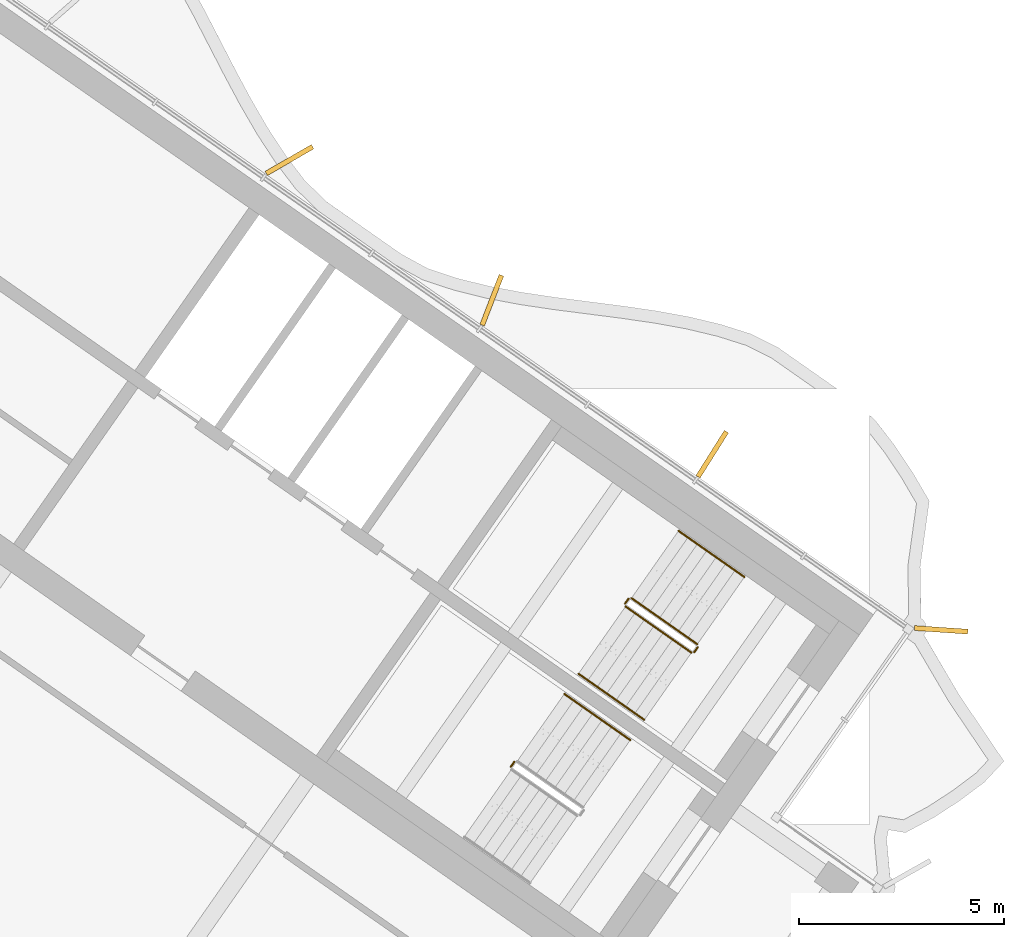
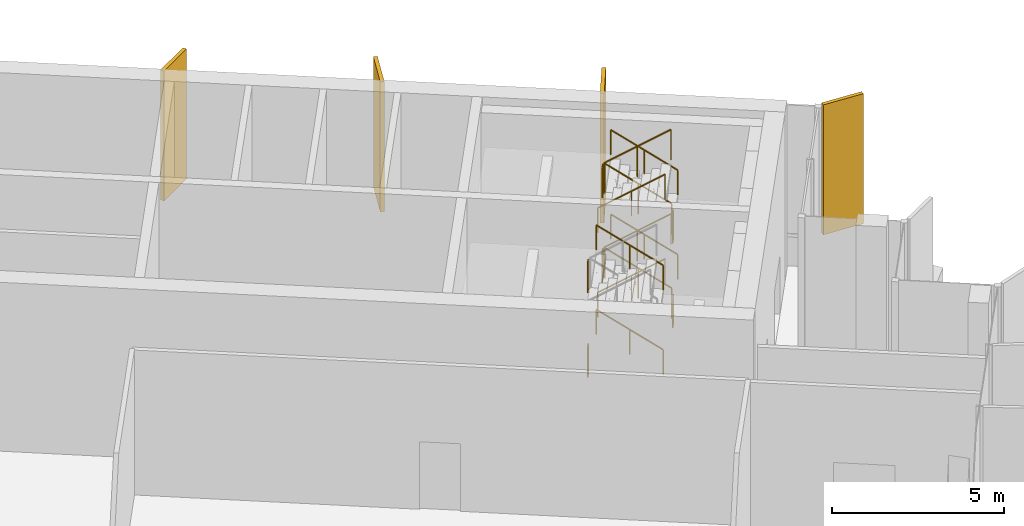
# One storey, part 17 of 18: 16 railings, 4 shading devices.
"""IFC4 building model written with IfcOpenShell, lengths in metres."""

from ifc_helpers import new_model, si_unit, direction, frame, origin, origin_2d, place, context, subcontext, project, spatial, rectangle, circle, extrude, material, layer, layer_set, type_object, element, save


model = new_model("IFC4")

# Units and contexts
model_context = context("Model", 3, precision=1e-05, world=origin(), true_north=direction((0.0, 1.0)))
body_context = subcontext(model_context, "Body", "Model", "MODEL_VIEW")
ifc_project = project(units=[si_unit("LENGTHUNIT", "METRE"), si_unit("AREAUNIT", "SQUARE_METRE"), si_unit("VOLUMEUNIT", "CUBIC_METRE"), si_unit("PLANEANGLEUNIT", "RADIAN"), si_unit("MASSUNIT", "GRAM", prefix="KILO")], contexts=[model_context])

# Site, building, storey
site_placement = place(None, origin())
site = spatial("IfcSite", under=ifc_project, at=site_placement, CompositionType="ELEMENT")
building_placement = place(site_placement, origin())
building = spatial("IfcBuilding", under=site, at=building_placement, Name="Tel Ilan Convention Tower", CompositionType="ELEMENT")
storey_placement = place(building_placement, frame((0.0, 0.0, 307.300048828125)))
storey = spatial("IfcBuildingStorey", under=building, at=storey_placement, Name="L73", CompositionType="ELEMENT", Elevation=307.300048828125)

# Shading devices
ifc_material_1 = material(Name="Aluminium, bronze anodised", Category="aluminium")
ifc_layer = layer(ifc_material_1, 0.1201171875)
ifc_layer_set = layer_set([ifc_layer], Name="FIN BRONZE 1300x120")
shading_device_type = type_object("IfcShadingDeviceType", Name="FIN BRONZE 1300x120", PredefinedType="USERDEFINED", material=ifc_layer_set)
for number, where, z_axis, x_axis, name in (
    (1, (29.62109375, -7.500732421875, 1.099853515625), (0.0, 0.0, 1.0), (0.997697449973, -0.067821812994, 0.0), "FIN"),
    (2, (24.04150390625, -3.220458984375, 1.099853515625), (0.0, 0.0, 1.0), (0.533204432798, 0.845986425922, 0.0), "FIN"),
    (3, (18.67041015625, 0.5322265625, 1.099853515625), (0.0, 0.0, 1.0), (0.360177724803, 0.932883704733, 0.0), "FIN"),
    (4, (13.740234375, 3.946533203125, 1.099853515625), (0.0, 0.0, 1.0), (0.866025403784, 0.5, 0.0), "FIN"),
):
    element("IfcShadingDevice", number, at=place(storey_placement, frame(where, z_axis=z_axis, x_axis=x_axis)), inside=storey, type_object=shading_device_type, Name=name, ObjectType="FIN", PredefinedType="USERDEFINED", context=body_context, shape_type="SweptSolid", body=[
        extrude(rectangle(XDim=1.300048828125, YDim=0.1201171875, at=origin_2d()), origin(), (0.0, 0.0, 1.0), 4.6201171875),
    ])

# Railings
ifc_material_2 = material(Name="Stainless Steel Grade 316", Category="steel")
railing_type_1 = type_object("IfcRailingType", Name="Stainless Steel Stair Guard 1100 mm", PredefinedType="GUARDRAIL", material=ifc_material_2)
railing_1_placement = place(storey_placement, frame((23.6787109375, -7.8515625, 0.1875)))
element("IfcRailing", 5, at=railing_1_placement, inside=storey, type_object=railing_type_1, Name="L73 S3 stair guard 1", PredefinedType="GUARDRAIL", context=body_context, shape_type="SweptSolid", body=[
    extrude(circle(Radius=0.02392578125, at=origin_2d()), frame((0.0, 0.0, 1.076171875), z_axis=(-0.680615610069, 0.476617226942, 0.556415681224), x_axis=(-0.573612813533, -0.819126571508, 0.0)), (0.0, 0.0, 1.0), 2.35888671875),
    extrude(circle(Radius=0.02099609375, at=origin_2d()), origin(), (0.0, 0.0, 1.0), 1.052001953125),
    extrude(circle(Radius=0.02099609375, at=origin_2d()), frame((-0.802734375, 0.56201171875, 0.65625)), (0.0, 0.0, 1.0), 1.052001953125),
    extrude(circle(Radius=0.02099609375, at=origin_2d()), frame((-1.60546875, 1.124267578125, 1.3125)), (0.0, 0.0, 1.0), 1.052001953125),
])
railing_2_placement = place(storey_placement, frame((22.003662109375, -6.739501953125, 1.5)))
element("IfcRailing", 6, at=railing_2_placement, inside=storey, type_object=railing_type_1, Name="L73 S3 stair guard 2", PredefinedType="GUARDRAIL", context=body_context, shape_type="SweptSolid", body=[
    extrude(circle(Radius=0.02392578125, at=origin_2d()), frame((0.0, 0.0, 1.076171875), z_axis=(-0.57368046593, -0.819079192149, 0.0), x_axis=(0.819079192149, -0.57368046593, 0.0)), (0.0, 0.0, 1.0), 0.150146484375),
    extrude(circle(Radius=0.02099609375, at=origin_2d()), origin(), (0.0, 0.0, 1.0), 1.052001953125),
    extrude(circle(Radius=0.02099609375, at=origin_2d()), frame((-0.086181640625, -0.123046875, 0.0)), (0.0, 0.0, 1.0), 1.052001953125),
])
railing_3_placement = place(storey_placement, frame((21.929931640625, -6.93212890625, 1.6875)))
element("IfcRailing", 7, at=railing_3_placement, inside=storey, type_object=railing_type_1, Name="L73 S3 stair guard 3", PredefinedType="GUARDRAIL", context=body_context, shape_type="SweptSolid", body=[
    extrude(circle(Radius=0.02392578125, at=origin_2d()), frame((0.0, 0.0, 1.076171875), z_axis=(0.680615610069, -0.476617226942, 0.556415681224), x_axis=(0.573612813533, 0.819126571508, 0.0)), (0.0, 0.0, 1.0), 2.35888671875),
    extrude(circle(Radius=0.02099609375, at=origin_2d()), origin(), (0.0, 0.0, 1.0), 1.052001953125),
    extrude(circle(Radius=0.02099609375, at=origin_2d()), frame((0.802734375, -0.56201171875, 0.65625)), (0.0, 0.0, 1.0), 1.052001953125),
    extrude(circle(Radius=0.02099609375, at=origin_2d()), frame((1.60546875, -1.124267578125, 1.3125)), (0.0, 0.0, 1.0), 1.052001953125),
])
railing_4_placement = place(storey_placement, frame((23.691162109375, -7.921142578125, 3.0)))
element("IfcRailing", 8, at=railing_4_placement, inside=storey, type_object=railing_type_1, Name="L73 S3 stair guard 4", PredefinedType="GUARDRAIL", context=body_context, shape_type="SweptSolid", body=[
    extrude(circle(Radius=0.02392578125, at=origin_2d()), frame((0.0, 0.0, 1.076171875), z_axis=(-0.574444878118, -0.818543268254, 0.0), x_axis=(0.818543268254, -0.574444878118, 0.0)), (0.0, 0.0, 1.0), 0.150146484375),
    extrude(circle(Radius=0.02099609375, at=origin_2d()), origin(), (0.0, 0.0, 1.0), 1.052001953125),
    extrude(circle(Radius=0.02099609375, at=origin_2d()), frame((-0.086181640625, -0.122802734375, 0.0)), (0.0, 0.0, 1.0), 1.052001953125),
])
railing_5_placement = place(storey_placement, frame((23.6787109375, -7.8515625, 3.1875)))
element("IfcRailing", 9, at=railing_5_placement, inside=storey, type_object=railing_type_1, Name="L73 S3 stair guard 5", PredefinedType="GUARDRAIL", context=body_context, shape_type="SweptSolid", body=[
    extrude(circle(Radius=0.02392578125, at=origin_2d()), frame((0.0, 0.0, 1.076171875), z_axis=(-0.680615610069, 0.476617226942, 0.556415681224), x_axis=(-0.573612813533, -0.819126571508, 0.0)), (0.0, 0.0, 1.0), 2.35888671875),
    extrude(circle(Radius=0.02099609375, at=origin_2d()), origin(), (0.0, 0.0, 1.0), 1.052001953125),
    extrude(circle(Radius=0.02099609375, at=origin_2d()), frame((-0.802734375, 0.56201171875, 0.65625)), (0.0, 0.0, 1.0), 1.052001953125),
    extrude(circle(Radius=0.02099609375, at=origin_2d()), frame((-1.60546875, 1.124267578125, 1.3125)), (0.0, 0.0, 1.0), 1.052001953125),
])
railing_6_placement = place(storey_placement, frame((22.003662109375, -6.739501953125, 4.5)))
element("IfcRailing", 10, at=railing_6_placement, inside=storey, type_object=railing_type_1, Name="L73 S3 stair guard 6", PredefinedType="GUARDRAIL", context=body_context, shape_type="SweptSolid", body=[
    extrude(circle(Radius=0.02392578125, at=origin_2d()), frame((0.0, 0.0, 1.076171875), z_axis=(-0.57368046593, -0.819079192149, 0.0), x_axis=(0.819079192149, -0.57368046593, 0.0)), (0.0, 0.0, 1.0), 0.150146484375),
    extrude(circle(Radius=0.02099609375, at=origin_2d()), origin(), (0.0, 0.0, 1.0), 1.052001953125),
    extrude(circle(Radius=0.02099609375, at=origin_2d()), frame((-0.086181640625, -0.123046875, 0.0)), (0.0, 0.0, 1.0), 1.052001953125),
])
railing_7_placement = place(storey_placement, frame((21.929931640625, -6.93212890625, 4.6875)))
element("IfcRailing", 11, at=railing_7_placement, inside=storey, type_object=railing_type_1, Name="L73 S3 stair guard 7", PredefinedType="GUARDRAIL", context=body_context, shape_type="SweptSolid", body=[
    extrude(circle(Radius=0.02392578125, at=origin_2d()), frame((0.0, 0.0, 1.076171875), z_axis=(0.680615610069, -0.476617226942, 0.556415681224), x_axis=(0.573612813533, 0.819126571508, 0.0)), (0.0, 0.0, 1.0), 2.35888671875),
    extrude(circle(Radius=0.02099609375, at=origin_2d()), origin(), (0.0, 0.0, 1.0), 1.052001953125),
    extrude(circle(Radius=0.02099609375, at=origin_2d()), frame((0.802734375, -0.56201171875, 0.65625)), (0.0, 0.0, 1.0), 1.052001953125),
    extrude(circle(Radius=0.02099609375, at=origin_2d()), frame((1.60546875, -1.124267578125, 1.3125)), (0.0, 0.0, 1.0), 1.052001953125),
])
railing_8_placement = place(storey_placement, frame((23.691162109375, -7.921142578125, 0.0)))
element("IfcRailing", 12, at=railing_8_placement, inside=storey, type_object=railing_type_1, Name="L73 S3 stair guard 8", PredefinedType="GUARDRAIL", context=body_context, shape_type="SweptSolid", body=[
    extrude(circle(Radius=0.02392578125, at=origin_2d()), frame((0.0, 0.0, 1.076171875), z_axis=(-0.574444878118, -0.818543268254, 0.0), x_axis=(0.818543268254, -0.574444878118, 0.0)), (0.0, 0.0, 1.0), 0.150146484375),
    extrude(circle(Radius=0.02099609375, at=origin_2d()), origin(), (0.0, 0.0, 1.0), 1.052001953125),
    extrude(circle(Radius=0.02099609375, at=origin_2d()), frame((-0.086181640625, -0.122802734375, 0.0)), (0.0, 0.0, 1.0), 1.052001953125),
])
for number, where, name in (
    (13, (19.2216796875, -10.71240234375, 1.5), "L73 S4 stair guard 2"),
    (14, (19.2216796875, -10.71240234375, 4.5), "L73 S4 stair guard 6"),
):
    element("IfcRailing", number, at=place(storey_placement, frame(where)), inside=storey, type_object=railing_type_1, Name=name, PredefinedType="GUARDRAIL", context=body_context, shape_type="SweptSolid", body=[
        extrude(circle(Radius=0.02392578125, at=origin_2d()), frame((0.0, 0.0, 1.076171875), z_axis=(-0.572588637393, -0.819842821722, 0.0), x_axis=(0.819842821722, -0.572588637393, 0.0)), (0.0, 0.0, 1.0), 0.150146484375),
        extrude(circle(Radius=0.02099609375, at=origin_2d()), origin(), (0.0, 0.0, 1.0), 1.052001953125),
        extrude(circle(Radius=0.02099609375, at=origin_2d()), frame((-0.0859375, -0.123046875, 0.0)), (0.0, 0.0, 1.0), 1.052001953125),
    ])
ifc_material_3 = material(Name="Stainless Steel Grade 316", Category="steel")
railing_type_2 = type_object("IfcRailingType", Name="Stainless Steel Stair Handrail 900 mm", PredefinedType="HANDRAIL", material=ifc_material_3)
railing_9_placement = place(storey_placement, frame((24.825927734375, -6.213134765625, 0.1875)))
element("IfcRailing", 15, at=railing_9_placement, inside=storey, type_object=railing_type_2, Name="L73 S3 stair handrail 1", PredefinedType="HANDRAIL", context=body_context, shape_type="SweptSolid", body=[
    extrude(circle(Radius=0.02392578125, at=origin_2d()), frame((0.0, 0.0, 0.8759765625), z_axis=(-0.680649183577, 0.476537232541, 0.55644312818), x_axis=(-0.573529226717, -0.819185098803, 0.0)), (0.0, 0.0, 1.0), 2.358642578125),
    extrude(circle(Radius=0.02099609375, at=origin_2d()), origin(), (0.0, 0.0, 1.0), 0.851806640625),
    extrude(circle(Radius=0.02099609375, at=origin_2d()), frame((-0.802734375, 0.56201171875, 0.65625)), (0.0, 0.0, 1.0), 0.851806640625),
    extrude(circle(Radius=0.02099609375, at=origin_2d()), frame((-1.60546875, 1.1240234375, 1.3125)), (0.0, 0.0, 1.0), 0.851806640625),
])
railing_10_placement = place(storey_placement, frame((20.78271484375, -8.5703125, 1.6875)))
element("IfcRailing", 16, at=railing_10_placement, inside=storey, type_object=railing_type_2, Name="L73 S3 stair handrail 2", PredefinedType="HANDRAIL", context=body_context, shape_type="SweptSolid", body=[
    extrude(circle(Radius=0.02392578125, at=origin_2d()), frame((0.0, 0.0, 0.8759765625), z_axis=(0.680615610069, -0.476617226942, 0.556415681224), x_axis=(0.573612813533, 0.819126571508, 0.0)), (0.0, 0.0, 1.0), 2.35888671875),
    extrude(circle(Radius=0.02099609375, at=origin_2d()), origin(), (0.0, 0.0, 1.0), 0.851806640625),
    extrude(circle(Radius=0.02099609375, at=origin_2d()), frame((0.802734375, -0.56201171875, 0.65625)), (0.0, 0.0, 1.0), 0.851806640625),
    extrude(circle(Radius=0.02099609375, at=origin_2d()), frame((1.60546875, -1.124267578125, 1.3125)), (0.0, 0.0, 1.0), 0.851806640625),
])
railing_11_placement = place(storey_placement, frame((24.825927734375, -6.213134765625, 3.1875)))
element("IfcRailing", 17, at=railing_11_placement, inside=storey, type_object=railing_type_2, Name="L73 S3 stair handrail 3", PredefinedType="HANDRAIL", context=body_context, shape_type="SweptSolid", body=[
    extrude(circle(Radius=0.02392578125, at=origin_2d()), frame((0.0, 0.0, 0.8759765625), z_axis=(-0.680649183577, 0.476537232541, 0.55644312818), x_axis=(-0.573529226717, -0.819185098803, 0.0)), (0.0, 0.0, 1.0), 2.358642578125),
    extrude(circle(Radius=0.02099609375, at=origin_2d()), origin(), (0.0, 0.0, 1.0), 0.851806640625),
    extrude(circle(Radius=0.02099609375, at=origin_2d()), frame((-0.802734375, 0.56201171875, 0.65625)), (0.0, 0.0, 1.0), 0.851806640625),
    extrude(circle(Radius=0.02099609375, at=origin_2d()), frame((-1.60546875, 1.1240234375, 1.3125)), (0.0, 0.0, 1.0), 0.851806640625),
])
railing_12_placement = place(storey_placement, frame((20.78271484375, -8.5703125, 4.6875)))
element("IfcRailing", 18, at=railing_12_placement, inside=storey, type_object=railing_type_2, Name="L73 S3 stair handrail 4", PredefinedType="HANDRAIL", context=body_context, shape_type="SweptSolid", body=[
    extrude(circle(Radius=0.02392578125, at=origin_2d()), frame((0.0, 0.0, 0.8759765625), z_axis=(0.680615610069, -0.476617226942, 0.556415681224), x_axis=(0.573612813533, 0.819126571508, 0.0)), (0.0, 0.0, 1.0), 2.35888671875),
    extrude(circle(Radius=0.02099609375, at=origin_2d()), origin(), (0.0, 0.0, 1.0), 0.851806640625),
    extrude(circle(Radius=0.02099609375, at=origin_2d()), frame((0.802734375, -0.56201171875, 0.65625)), (0.0, 0.0, 1.0), 0.851806640625),
    extrude(circle(Radius=0.02099609375, at=origin_2d()), frame((1.60546875, -1.124267578125, 1.3125)), (0.0, 0.0, 1.0), 0.851806640625),
])
for number, where, name in (
    (19, (22.044189453125, -10.18603515625, 0.1875), "L73 S4 stair handrail 1"),
    (20, (22.044189453125, -10.18603515625, 3.1875), "L73 S4 stair handrail 3"),
):
    element("IfcRailing", number, at=place(storey_placement, frame(where)), inside=storey, type_object=railing_type_2, Name=name, PredefinedType="HANDRAIL", context=body_context, shape_type="SweptSolid", body=[
        extrude(circle(Radius=0.02392578125, at=origin_2d()), frame((0.0, 0.0, 0.8759765625), z_axis=(-0.680704730592, 0.47650366119, 0.556403927576), x_axis=(-0.573470704013, -0.8192260687, 0.0)), (0.0, 0.0, 1.0), 2.35888671875),
        extrude(circle(Radius=0.02099609375, at=origin_2d()), origin(), (0.0, 0.0, 1.0), 0.851806640625),
        extrude(circle(Radius=0.02099609375, at=origin_2d()), frame((-0.802734375, 0.56201171875, 0.65625)), (0.0, 0.0, 1.0), 0.851806640625),
        extrude(circle(Radius=0.02099609375, at=origin_2d()), frame((-1.605712890625, 1.1240234375, 1.3125)), (0.0, 0.0, 1.0), 0.851806640625),
    ])

save(model, "model.ifc")
